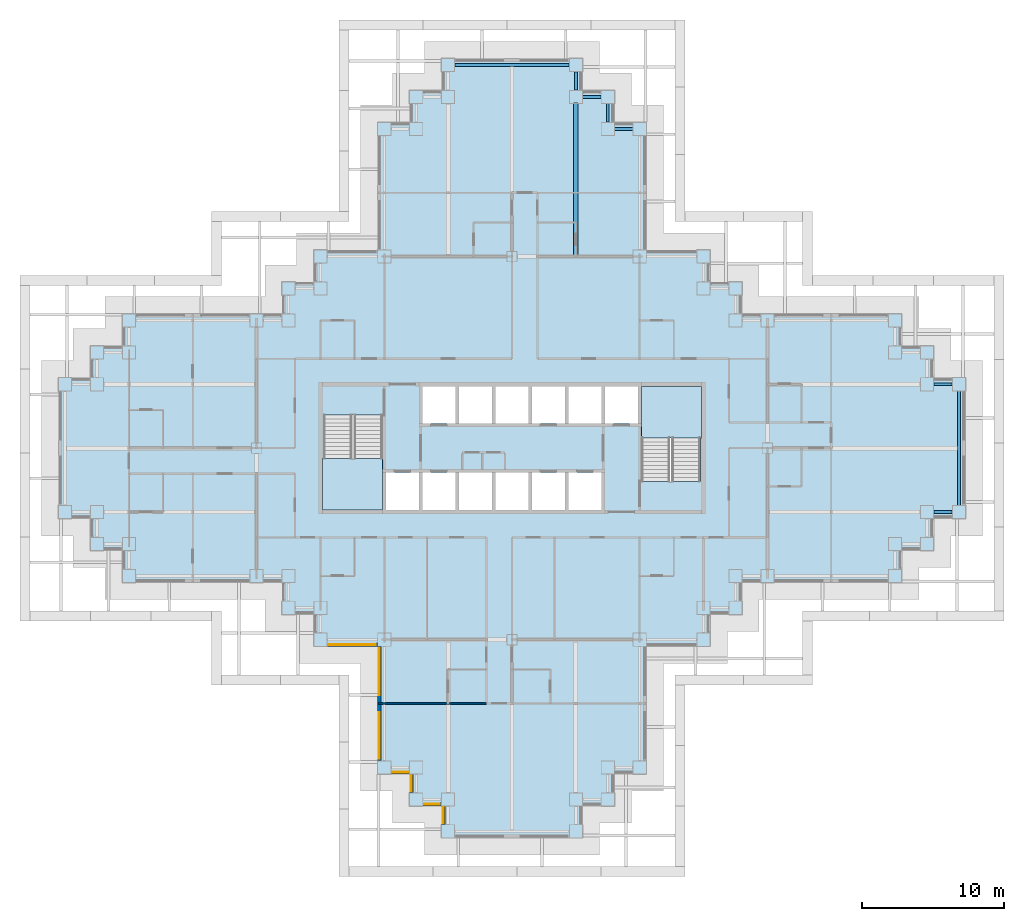
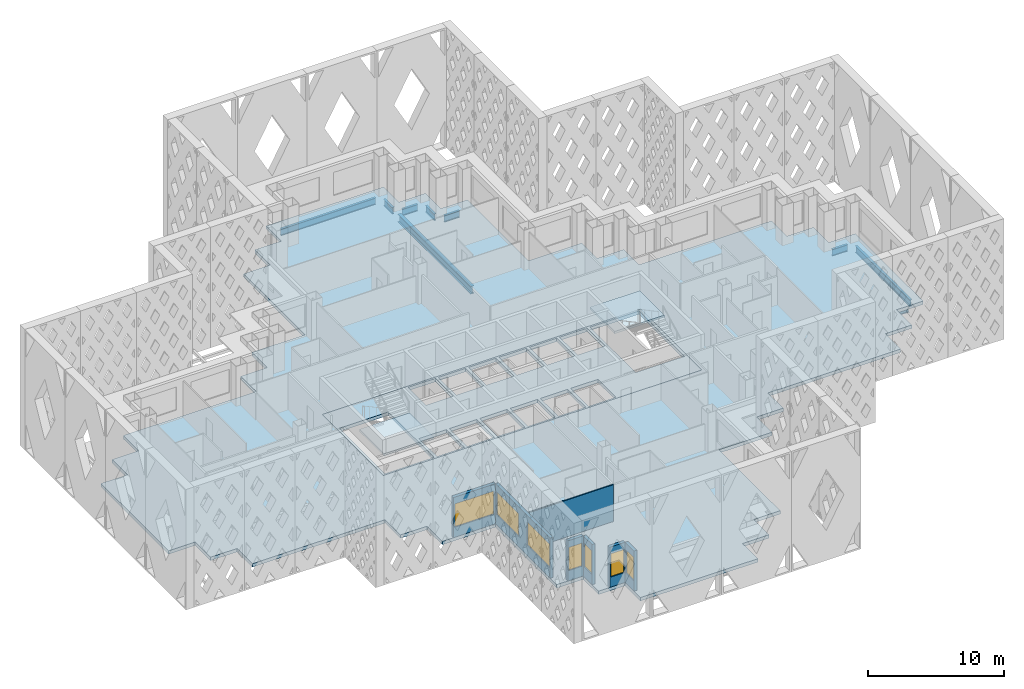
# One storey, part 2 of 19: 9 beams, 7 walls, 7 windows, 4 slabs, 7 openings, 2 elements without a shape of their own.
"""IFC4 building model written with IfcOpenShell, lengths in metres."""

from ifc_helpers import new_model, si_unit, direction, frame, frame_2d, origin, origin_2d, place, context, subcontext, project, spatial, polyline, rectangle, i_section, outline, extrude, material, layer, layer_set, material_profile, profile_set, type_object, element, fill, aggregate, save


model = new_model("IFC4")

# Units and contexts
model_context = context("Model", 3, precision=1e-05, world=origin(), true_north=direction((0.0, 1.0)))
body_context = subcontext(model_context, "Body", "Model", "MODEL_VIEW")
ifc_project = project(units=[si_unit("LENGTHUNIT", "METRE"), si_unit("AREAUNIT", "SQUARE_METRE"), si_unit("VOLUMEUNIT", "CUBIC_METRE"), si_unit("PLANEANGLEUNIT", "RADIAN"), si_unit("MASSUNIT", "GRAM", prefix="KILO")], contexts=[model_context])

# Site, building, storey
site_placement = place(None, origin())
site = spatial("IfcSite", under=ifc_project, at=site_placement, CompositionType="ELEMENT")
building_placement = place(site_placement, origin())
building = spatial("IfcBuilding", under=site, at=building_placement, Name="Caravel Reach Hotel and Residences", CompositionType="ELEMENT")
storey_placement = place(building_placement, frame((0.0, 0.0, 85.199951171875)))
storey = spatial("IfcBuildingStorey", under=building, at=storey_placement, Name="L20", CompositionType="ELEMENT", Elevation=85.199951171875)

# Beams
ifc_material_1 = material(Name="Structural steel Q355B", Category="steel")
ifc_material_profile_1 = material_profile(ifc_material_1, i_section(OverallWidth=0.300048828125, OverallDepth=0.699951171875, WebThickness=0.012939453125, FlangeThickness=0.02392578125, FilletRadius=0.01806640625, at=origin_2d()), Name="HN 700x300x13x24")
ifc_profile_set_1 = profile_set([ifc_material_profile_1], Name="Structural steel Q355B")
beam_type_1 = type_object("IfcBeamType", Name="Beam HN 700x300x13x24", PredefinedType="BEAM", material=ifc_profile_set_1)
beam_1_placement = place(storey_placement, frame((36.0, 40.60009765625, -0.64990234375), z_axis=(0.0, 1.0, 0.0), x_axis=(-1.0, 0.0, 0.0)))
element("IfcBeam", 1, at=beam_1_placement, inside=storey, type_object=beam_type_1, Name="B2 HN 700x300x13x24", PredefinedType="BEAM", context=body_context, shape_type="SweptSolid", body=[
    extrude(i_section(OverallWidth=0.300048828125, OverallDepth=0.699951171875, WebThickness=0.012939453125, FlangeThickness=0.02392578125, FilletRadius=0.01806640625, at=origin_2d()), origin(), (0.0, 0.0, 1.0), 10.724853515625),
])
ifc_material_2 = material(Name="Structural steel Q355B", Category="steel")
ifc_material_profile_2 = material_profile(ifc_material_2, i_section(OverallWidth=0.199951171875, OverallDepth=0.60009765625, WebThickness=0.010986328125, FlangeThickness=0.01708984375, FilletRadius=0.012939453125, at=origin_2d()), Name="HN 600x200x11x17")
ifc_profile_set_2 = profile_set([ifc_material_profile_2], Name="Structural steel Q355B")
beam_type_2 = type_object("IfcBeamType", Name="Spandrel beam HN 600x200x11x17", PredefinedType="SPANDREL", material=ifc_profile_set_2)
beam_2_placement = place(storey_placement, frame((61.22509765625, 22.5, -0.599853515625), z_axis=(1.0, 0.0, 0.0), x_axis=(0.0, 1.0, 0.0)))
element("IfcBeam", 2, at=beam_2_placement, inside=storey, type_object=beam_type_2, Name="SP1 HN 600x200x11x17", PredefinedType="SPANDREL", context=body_context, shape_type="SweptSolid", body=[
    extrude(i_section(OverallWidth=0.199951171875, OverallDepth=0.60009765625, WebThickness=0.010986328125, FlangeThickness=0.01708984375, FilletRadius=0.012939453125, at=origin_2d()), origin(), (0.0, 0.0, 1.0), 1.2998046875),
])
beam_3_placement = place(storey_placement, frame((63.0, 22.97509765625, -0.599853515625), z_axis=(0.0, 1.0, 0.0), x_axis=(-1.0, 0.0, 0.0)))
element("IfcBeam", 3, at=beam_3_placement, inside=storey, type_object=beam_type_2, Name="SP1 HN 600x200x11x17", PredefinedType="SPANDREL", context=body_context, shape_type="SweptSolid", body=[
    extrude(i_section(OverallWidth=0.199951171875, OverallDepth=0.60009765625, WebThickness=0.010986328125, FlangeThickness=0.01708984375, FilletRadius=0.012939453125, at=origin_2d()), origin(), (0.0, 0.0, 1.0), 8.0498046875),
])
for number, where, z_axis, x_axis, name in (
    (4, (62.52490234375, 31.5, -0.599853515625), (-1.0, 0.0, 0.0), (0.0, -1.0, 0.0), "SP1 HN 600x200x11x17"),
    (5, (40.02490234375, 49.5, -0.599853515625), (-1.0, 0.0, 0.0), (0.0, -1.0, 0.0), "SP1 HN 600x200x11x17"),
    (6, (38.25, 49.97509765625, -0.599853515625), (0.0, 1.0, 0.0), (-1.0, 0.0, 0.0), "SP1 HN 600x200x11x17"),
    (7, (37.77490234375, 51.75, -0.599853515625), (-1.0, 0.0, 0.0), (0.0, -1.0, 0.0), "SP1 HN 600x200x11x17"),
    (8, (36.0, 52.22509765625, -0.599853515625), (0.0, 1.0, 0.0), (-1.0, 0.0, 0.0), "SP1 HN 600x200x11x17"),
):
    element("IfcBeam", number, at=place(storey_placement, frame(where, z_axis=z_axis, x_axis=x_axis)), inside=storey, type_object=beam_type_2, Name=name, PredefinedType="SPANDREL", context=body_context, shape_type="SweptSolid", body=[
        extrude(i_section(OverallWidth=0.199951171875, OverallDepth=0.60009765625, WebThickness=0.010986328125, FlangeThickness=0.01708984375, FilletRadius=0.012939453125, at=origin_2d()), origin(), (0.0, 0.0, 1.0), 1.2998046875),
    ])
beam_4_placement = place(storey_placement, frame((35.52490234375, 54.0, -0.599853515625), z_axis=(-1.0, 0.0, 0.0), x_axis=(0.0, -1.0, 0.0)))
element("IfcBeam", 9, at=beam_4_placement, inside=storey, type_object=beam_type_2, Name="SP1 HN 600x200x11x17", PredefinedType="SPANDREL", context=body_context, shape_type="SweptSolid", body=[
    extrude(i_section(OverallWidth=0.199951171875, OverallDepth=0.60009765625, WebThickness=0.010986328125, FlangeThickness=0.01708984375, FilletRadius=0.012939453125, at=origin_2d()), origin(), (0.0, 0.0, 1.0), 8.0498046875),
])

# Slab
ifc_material_3 = material(Name="Concrete C40", Category="concrete")
ifc_layer_1 = layer(ifc_material_3, 0.300048828125)
ifc_layer_set_1 = layer_set([ifc_layer_1], Name="Core floor slab 300 mm")
slab_type_1 = type_object("IfcSlabType", Name="Core floor slab 300 mm", PredefinedType="FLOOR", material=ifc_layer_set_1)
slab_1_placement = place(storey_placement, frame((0.0, 0.0, -0.300048828125)))
element("IfcSlab", 10, at=slab_1_placement, inside=storey, type_object=slab_type_1, Name="L20 core floor", PredefinedType="FLOOR", context=body_context, shape_type="SweptSolid", body=[
    extrude(outline(polyline([(18.0, 31.5), (45.0, 31.5), (45.0, 22.5), (18.0, 22.5), (18.0, 31.5)]), holes=[polyline([(22.625, 25.27490234375), (22.625, 22.64990234375), (24.9462890625, 22.64990234375), (24.9462890625, 25.27490234375), (22.625, 25.27490234375)]), polyline([(27.517822265625, 25.27490234375), (25.1962890625, 25.27490234375), (25.1962890625, 22.64990234375), (27.517822265625, 22.64990234375), (27.517822265625, 25.27490234375)]), polyline([(30.08935546875, 25.27490234375), (27.767822265625, 25.27490234375), (27.767822265625, 22.64990234375), (30.08935546875, 22.64990234375), (30.08935546875, 25.27490234375)]), polyline([(32.66064453125, 25.27490234375), (30.33935546875, 25.27490234375), (30.33935546875, 22.64990234375), (32.66064453125, 22.64990234375), (32.66064453125, 25.27490234375)]), polyline([(18.22509765625, 22.64990234375), (22.375, 22.64990234375), (22.375, 29.35009765625), (18.22509765625, 29.35009765625), (18.22509765625, 22.64990234375)]), polyline([(27.517822265625, 31.35009765625), (25.1962890625, 31.35009765625), (25.1962890625, 28.72509765625), (27.517822265625, 28.72509765625), (27.517822265625, 31.35009765625)]), polyline([(30.08935546875, 31.35009765625), (27.767822265625, 31.35009765625), (27.767822265625, 28.72509765625), (30.08935546875, 28.72509765625), (30.08935546875, 31.35009765625)]), polyline([(32.91064453125, 25.27490234375), (32.91064453125, 22.64990234375), (35.232177734375, 22.64990234375), (35.232177734375, 25.27490234375), (32.91064453125, 25.27490234375)]), polyline([(37.8037109375, 25.27490234375), (35.482177734375, 25.27490234375), (35.482177734375, 22.64990234375), (37.8037109375, 22.64990234375), (37.8037109375, 25.27490234375)]), polyline([(44.77490234375, 31.35009765625), (40.625, 31.35009765625), (40.625, 24.64990234375), (44.77490234375, 24.64990234375), (44.77490234375, 31.35009765625)]), polyline([(32.66064453125, 31.35009765625), (30.33935546875, 31.35009765625), (30.33935546875, 28.72509765625), (32.66064453125, 28.72509765625), (32.66064453125, 31.35009765625)]), polyline([(35.232177734375, 31.35009765625), (32.91064453125, 31.35009765625), (32.91064453125, 28.72509765625), (35.232177734375, 28.72509765625), (35.232177734375, 31.35009765625)]), polyline([(37.8037109375, 31.35009765625), (35.482177734375, 31.35009765625), (35.482177734375, 28.72509765625), (37.8037109375, 28.72509765625), (37.8037109375, 31.35009765625)]), polyline([(40.375, 31.35009765625), (38.0537109375, 31.35009765625), (38.0537109375, 28.72509765625), (40.375, 28.72509765625), (40.375, 31.35009765625)])]), origin(), (0.0, 0.0, 1.0), 0.300048828125),
])

# Stair, slab
ifc_material_4 = material(Name="Concrete C40", Category="concrete")
stair_type = type_object("IfcStairType", Name="Core stair", PredefinedType="HALF_TURN_STAIR", material=ifc_material_4)
stair_1_placement = place(storey_placement, origin())
stair_1 = element("IfcStair", 11, at=stair_1_placement, inside=storey, type_object=stair_type, Name="L20 Exit stair A", PredefinedType="HALF_TURN_STAIR")
ifc_material_5 = material(Name="Concrete C40", Category="concrete")
ifc_layer_2 = layer(ifc_material_5, 0.199951171875)
ifc_layer_set_2 = layer_set([ifc_layer_2], Name="Core stair landing")
slab_type_2 = type_object("IfcSlabType", Name="Core stair landing", PredefinedType="LANDING", material=ifc_layer_set_2)
slab_2_placement = place(storey_placement, frame((0.0, 0.0, 1.60009765625)))
slab_2 = element("IfcSlab", 12, at=slab_2_placement, type_object=slab_type_2, Name="ST-A landing 1", PredefinedType="LANDING", context=body_context, shape_type="SweptSolid", body=[
    extrude(outline(polyline([(18.14990234375, 26.27001953125), (18.14990234375, 22.64990234375), (22.375, 22.64990234375), (22.375, 26.27001953125), (18.14990234375, 26.27001953125)])), origin(), (0.0, 0.0, 1.0), 0.199951171875),
])
aggregate(stair_1, [slab_2])

stair_2_placement = place(storey_placement, origin())
stair_2 = element("IfcStair", 13, at=stair_2_placement, inside=storey, type_object=stair_type, Name="L20 Exit stair B", PredefinedType="HALF_TURN_STAIR")
slab_3_placement = place(storey_placement, frame((0.0, 0.0, 1.60009765625)))
slab_3 = element("IfcSlab", 14, at=slab_3_placement, type_object=slab_type_2, Name="ST-B landing 1", PredefinedType="LANDING", context=body_context, shape_type="SweptSolid", body=[
    extrude(outline(polyline([(44.85009765625, 27.72998046875), (44.85009765625, 31.35009765625), (40.625, 31.35009765625), (40.625, 27.72998046875), (44.85009765625, 27.72998046875)])), origin(), (0.0, 0.0, 1.0), 0.199951171875),
])
aggregate(stair_2, [slab_3])

# Slab
ifc_material_6 = material(Name="Concrete C40 post-tensioned", Category="concrete")
ifc_layer_3 = layer(ifc_material_6, 0.300048828125)
ifc_layer_set_3 = layer_set([ifc_layer_3], Name="Floor slab 300")
slab_type_3 = type_object("IfcSlabType", Name="Floor slab 300", PredefinedType="FLOOR", material=ifc_layer_set_3)
slab_4_placement = place(storey_placement, frame((0.0, 0.0, -0.300048828125)))
element("IfcSlab", 15, at=slab_4_placement, inside=storey, type_object=slab_type_3, Name="S2 slab L20", PredefinedType="FLOOR", context=body_context, shape_type="SweptSolid", body=[
    extrude(outline(polyline([(17.52490234375, 13.02490234375), (17.52490234375, 15.27490234375), (15.27490234375, 15.27490234375), (15.27490234375, 17.52490234375), (4.02490234375, 17.52490234375), (4.02490234375, 19.77490234375), (1.77490234375, 19.77490234375), (1.77490234375, 22.02490234375), (-0.47509765625, 22.02490234375), (-0.47509765625, 31.97509765625), (1.77490234375, 31.97509765625), (1.77490234375, 34.22509765625), (4.02490234375, 34.22509765625), (4.02490234375, 36.47509765625), (15.27490234375, 36.47509765625), (15.27490234375, 38.72509765625), (17.52490234375, 38.72509765625), (17.52490234375, 40.97509765625), (22.02490234375, 40.97509765625), (22.02490234375, 49.97509765625), (24.27490234375, 49.97509765625), (24.27490234375, 52.22509765625), (26.52490234375, 52.22509765625), (26.52490234375, 54.47509765625), (36.47509765625, 54.47509765625), (36.47509765625, 52.22509765625), (38.72509765625, 52.22509765625), (38.72509765625, 49.97509765625), (40.97509765625, 49.97509765625), (40.97509765625, 40.97509765625), (45.47509765625, 40.97509765625), (45.47509765625, 38.72509765625), (47.72509765625, 38.72509765625), (47.72509765625, 36.47509765625), (58.97509765625, 36.47509765625), (58.97509765625, 34.22509765625), (61.22509765625, 34.22509765625), (61.22509765625, 31.97509765625), (63.47509765625, 31.97509765625), (63.47509765625, 22.02490234375), (61.22509765625, 22.02490234375), (61.22509765625, 19.77490234375), (58.97509765625, 19.77490234375), (58.97509765625, 17.52490234375), (47.72509765625, 17.52490234375), (47.72509765625, 15.27490234375), (45.47509765625, 15.27490234375), (45.47509765625, 13.02490234375), (40.97509765625, 13.02490234375), (40.97509765625, 4.02490234375), (38.72509765625, 4.02490234375), (38.72509765625, 1.77490234375), (36.47509765625, 1.77490234375), (36.47509765625, -0.47509765625), (26.52490234375, -0.47509765625), (26.52490234375, 1.77490234375), (24.27490234375, 1.77490234375), (24.27490234375, 4.02490234375), (22.02490234375, 4.02490234375), (22.02490234375, 13.02490234375), (17.52490234375, 13.02490234375)]), holes=[polyline([(45.0, 31.5), (18.0, 31.5), (18.0, 22.5), (45.0, 22.5), (45.0, 31.5)])]), origin(), (0.0, 0.0, 1.0), 0.300048828125),
])

# Wall, opening, window
ifc_material_7 = material(Name="Insulated rainscreen wall, aluminium cladding", Category="aluminium")
ifc_layer_4 = layer(ifc_material_7, 0.25)
ifc_layer_set_4 = layer_set([ifc_layer_4], Name="EW1 Tower rainscreen wall")
wall_type_1 = type_object("IfcWallType", Name="EW1 Tower rainscreen wall", PredefinedType="SOLIDWALL", material=ifc_layer_set_4)
wall_1_placement = place(storey_placement, frame((22.97509765625, 4.14990234375, 0.0), z_axis=(0.0, 0.0, 1.0), x_axis=(1.0, 0.0, 0.0)))
wall_1 = element("IfcWall", 16, at=wall_1_placement, inside=storey, type_object=wall_type_1, Name="External wall L20 S1.1", PredefinedType="SOLIDWALL", context=body_context, shape_type="SweptSolid", body=[
    extrude(rectangle(XDim=1.2998046875, YDim=0.25, at=frame_2d((0.64990234375, 0.0))), origin(), (0.0, 0.0, 1.0), 3.60009765625),
])
opening_1_placement = place(wall_1_placement, frame((0.10009765625, 0.0, 0.89990234375)))
opening_1 = element("IfcOpeningElement", 17, at=opening_1_placement, cuts=wall_1, Name="Opening WN5", PredefinedType="OPENING", context=body_context, shape_type="SweptSolid", body=[
    extrude(rectangle(XDim=1.10009765625, YDim=2.080078125, at=frame_2d((0.550048828125, 1.0400390625))), frame((0.0, 0.135009765625, 0.0), z_axis=(0.0, -1.0, 0.0), x_axis=(1.0, 0.0, 0.0)), (0.0, 0.0, 1.0), 0.27001953125),
])
ifc_material_8 = material(Name="Dark low-e glazing in black aluminium frame", Category="aluminium")
window_type_1 = type_object("IfcWindowType", Name="Hotel suite corner window 1100 x 2080", PartitioningType="SINGLE_PANEL", PredefinedType="WINDOW", material=ifc_material_8)
window_1_placement = place(opening_1_placement, origin())
window_1 = element("IfcWindow", 18, at=window_1_placement, inside=storey, type_object=window_type_1, Name="Window L20 S1.1.1", OverallHeight=2.080078125, OverallWidth=1.10009765625, PartitioningType="SINGLE_PANEL", PredefinedType="WINDOW", context=body_context, shape_type="SweptSolid", body=[
    extrude(rectangle(XDim=1.10009765625, YDim=2.080078125, at=frame_2d((0.550048828125, 1.0400390625))), frame((0.0, 0.030029296875, 0.0), z_axis=(0.0, -1.0, 0.0), x_axis=(1.0, 0.0, 0.0)), (0.0, 0.0, 1.0), 0.06005859375),
])
fill(opening_1, window_1)

wall_2_placement = place(storey_placement, frame((24.39990234375, 4.02490234375, 0.0), z_axis=(0.0, 0.0, 1.0), x_axis=(0.0, -1.0, 0.0)))
wall_2 = element("IfcWall", 19, at=wall_2_placement, inside=storey, type_object=wall_type_1, Name="External wall L20 W2.1", PredefinedType="SOLIDWALL", context=body_context, shape_type="SweptSolid", body=[
    extrude(rectangle(XDim=1.2998046875, YDim=0.25, at=frame_2d((0.64990234375, 0.0))), origin(), (0.0, 0.0, 1.0), 3.60009765625),
])
opening_2_placement = place(wall_2_placement, frame((0.10009765625, 0.0, 0.89990234375)))
opening_2 = element("IfcOpeningElement", 20, at=opening_2_placement, cuts=wall_2, Name="Opening WN5", PredefinedType="OPENING", context=body_context, shape_type="SweptSolid", body=[
    extrude(rectangle(XDim=1.10009765625, YDim=2.080078125, at=frame_2d((0.550048828125, 1.0400390625))), frame((0.0, 0.135009765625, 0.0), z_axis=(0.0, -1.0, 0.0), x_axis=(1.0, 0.0, 0.0)), (0.0, 0.0, 1.0), 0.27001953125),
])
window_2_placement = place(opening_2_placement, origin())
window_2 = element("IfcWindow", 21, at=window_2_placement, inside=storey, type_object=window_type_1, Name="Window L20 W2.1.1", OverallHeight=2.080078125, OverallWidth=1.10009765625, PartitioningType="SINGLE_PANEL", PredefinedType="WINDOW", context=body_context, shape_type="SweptSolid", body=[
    extrude(rectangle(XDim=1.10009765625, YDim=2.080078125, at=frame_2d((0.550048828125, 1.0400390625))), frame((0.0, 0.030029296875, 0.0), z_axis=(0.0, -1.0, 0.0), x_axis=(1.0, 0.0, 0.0)), (0.0, 0.0, 1.0), 0.06005859375),
])
fill(opening_2, window_2)

wall_3_placement = place(storey_placement, frame((25.22509765625, 1.89990234375, 0.0), z_axis=(0.0, 0.0, 1.0), x_axis=(1.0, 0.0, 0.0)))
wall_3 = element("IfcWall", 22, at=wall_3_placement, inside=storey, type_object=wall_type_1, Name="External wall L20 S3.1", PredefinedType="SOLIDWALL", context=body_context, shape_type="SweptSolid", body=[
    extrude(rectangle(XDim=1.2998046875, YDim=0.25, at=frame_2d((0.64990234375, 0.0))), origin(), (0.0, 0.0, 1.0), 3.60009765625),
])
opening_3_placement = place(wall_3_placement, frame((0.10009765625, 0.0, 0.89990234375)))
opening_3 = element("IfcOpeningElement", 23, at=opening_3_placement, cuts=wall_3, Name="Opening WN5", PredefinedType="OPENING", context=body_context, shape_type="SweptSolid", body=[
    extrude(rectangle(XDim=1.10009765625, YDim=2.080078125, at=frame_2d((0.550048828125, 1.0400390625))), frame((0.0, 0.135009765625, 0.0), z_axis=(0.0, -1.0, 0.0), x_axis=(1.0, 0.0, 0.0)), (0.0, 0.0, 1.0), 0.27001953125),
])
window_3_placement = place(opening_3_placement, origin())
window_3 = element("IfcWindow", 24, at=window_3_placement, inside=storey, type_object=window_type_1, Name="Window L20 S3.1.1", OverallHeight=2.080078125, OverallWidth=1.10009765625, PartitioningType="SINGLE_PANEL", PredefinedType="WINDOW", context=body_context, shape_type="SweptSolid", body=[
    extrude(rectangle(XDim=1.10009765625, YDim=2.080078125, at=frame_2d((0.550048828125, 1.0400390625))), frame((0.0, 0.030029296875, 0.0), z_axis=(0.0, -1.0, 0.0), x_axis=(1.0, 0.0, 0.0)), (0.0, 0.0, 1.0), 0.06005859375),
])
fill(opening_3, window_3)

wall_4_placement = place(storey_placement, frame((26.64990234375, 1.77490234375, 0.0), z_axis=(0.0, 0.0, 1.0), x_axis=(0.0, -1.0, 0.0)))
wall_4 = element("IfcWall", 25, at=wall_4_placement, inside=storey, type_object=wall_type_1, Name="External wall L20 W4.1", PredefinedType="SOLIDWALL", context=body_context, shape_type="SweptSolid", body=[
    extrude(rectangle(XDim=1.2998046875, YDim=0.25, at=frame_2d((0.64990234375, 0.0))), origin(), (0.0, 0.0, 1.0), 3.60009765625),
])
opening_4_placement = place(wall_4_placement, frame((0.10009765625, 0.0, 0.89990234375)))
opening_4 = element("IfcOpeningElement", 26, at=opening_4_placement, cuts=wall_4, Name="Opening WN5", PredefinedType="OPENING", context=body_context, shape_type="SweptSolid", body=[
    extrude(rectangle(XDim=1.10009765625, YDim=2.080078125, at=frame_2d((0.550048828125, 1.0400390625))), frame((0.0, 0.135009765625, 0.0), z_axis=(0.0, -1.0, 0.0), x_axis=(1.0, 0.0, 0.0)), (0.0, 0.0, 1.0), 0.27001953125),
])
window_4_placement = place(opening_4_placement, origin())
window_4 = element("IfcWindow", 27, at=window_4_placement, inside=storey, type_object=window_type_1, Name="Window L20 W4.1.1", OverallHeight=2.080078125, OverallWidth=1.10009765625, PartitioningType="SINGLE_PANEL", PredefinedType="WINDOW", context=body_context, shape_type="SweptSolid", body=[
    extrude(rectangle(XDim=1.10009765625, YDim=2.080078125, at=frame_2d((0.550048828125, 1.0400390625))), frame((0.0, 0.030029296875, 0.0), z_axis=(0.0, -1.0, 0.0), x_axis=(1.0, 0.0, 0.0)), (0.0, 0.0, 1.0), 0.06005859375),
])
fill(opening_4, window_4)

wall_5_placement = place(storey_placement, frame((18.47509765625, 13.14990234375, 0.0), z_axis=(0.0, 0.0, 1.0), x_axis=(1.0, 0.0, 0.0)))
wall_5 = element("IfcWall", 28, at=wall_5_placement, inside=storey, type_object=wall_type_1, Name="External wall L20 S59.1", PredefinedType="SOLIDWALL", context=body_context, shape_type="SweptSolid", body=[
    extrude(rectangle(XDim=3.5498046875, YDim=0.25, at=frame_2d((1.77490234375, 0.0))), origin(), (0.0, 0.0, 1.0), 3.60009765625),
])
opening_5_placement = place(wall_5_placement, frame((0.125, 0.0, 0.89990234375)))
opening_5 = element("IfcOpeningElement", 29, at=opening_5_placement, cuts=wall_5, Name="Opening WN4", PredefinedType="OPENING", context=body_context, shape_type="SweptSolid", body=[
    extrude(rectangle(XDim=3.300048828125, YDim=2.080078125, at=frame_2d((1.64990234375, 1.0400390625))), frame((0.0, 0.135009765625, 0.0), z_axis=(0.0, -1.0, 0.0), x_axis=(1.0, 0.0, 0.0)), (0.0, 0.0, 1.0), 0.27001953125),
])
ifc_material_9 = material(Name="Dark low-e glazing in black aluminium frame", Category="aluminium")
window_type_2 = type_object("IfcWindowType", Name="Hotel guest room window 3300 x 2080", PartitioningType="SINGLE_PANEL", PredefinedType="WINDOW", material=ifc_material_9)
window_5_placement = place(opening_5_placement, origin())
window_5 = element("IfcWindow", 30, at=window_5_placement, inside=storey, type_object=window_type_2, Name="Window L20 S59.1.1", OverallHeight=2.080078125, OverallWidth=3.300048828125, PartitioningType="SINGLE_PANEL", PredefinedType="WINDOW", context=body_context, shape_type="SweptSolid", body=[
    extrude(rectangle(XDim=3.300048828125, YDim=2.080078125, at=frame_2d((1.64990234375, 1.0400390625))), frame((0.0, 0.030029296875, 0.0), z_axis=(0.0, -1.0, 0.0), x_axis=(1.0, 0.0, 0.0)), (0.0, 0.0, 1.0), 0.06005859375),
])
fill(opening_5, window_5)

# Wall, openings, windows
wall_6_placement = place(storey_placement, frame((22.14990234375, 13.02490234375, 0.0), z_axis=(0.0, 0.0, 1.0), x_axis=(0.0, -1.0, 0.0)))
wall_6 = element("IfcWall", 31, at=wall_6_placement, inside=storey, type_object=wall_type_1, Name="External wall L20 W60.1", PredefinedType="SOLIDWALL", context=body_context, shape_type="SweptSolid", body=[
    extrude(rectangle(XDim=8.0498046875, YDim=0.25, at=frame_2d((4.02490234375, 0.0))), origin(), (0.0, 0.0, 1.0), 3.60009765625),
])
opening_6_placement = place(wall_6_placement, frame((0.125, 0.0, 0.89990234375)))
opening_6 = element("IfcOpeningElement", 32, at=opening_6_placement, cuts=wall_6, Name="Opening WN4", PredefinedType="OPENING", context=body_context, shape_type="SweptSolid", body=[
    extrude(rectangle(XDim=3.300048828125, YDim=2.080078125, at=frame_2d((1.64990234375, 1.0400390625))), frame((0.0, 0.135009765625, 0.0), z_axis=(0.0, -1.0, 0.0), x_axis=(1.0, 0.0, 0.0)), (0.0, 0.0, 1.0), 0.27001953125),
])
opening_7_placement = place(wall_6_placement, frame((4.625, 0.0, 0.89990234375)))
opening_7 = element("IfcOpeningElement", 33, at=opening_7_placement, cuts=wall_6, Name="Opening WN4", PredefinedType="OPENING", context=body_context, shape_type="SweptSolid", body=[
    extrude(rectangle(XDim=3.300048828125, YDim=2.080078125, at=frame_2d((1.64990234375, 1.0400390625))), frame((0.0, 0.135009765625, 0.0), z_axis=(0.0, -1.0, 0.0), x_axis=(1.0, 0.0, 0.0)), (0.0, 0.0, 1.0), 0.27001953125),
])
window_6_placement = place(opening_6_placement, origin())
window_6 = element("IfcWindow", 34, at=window_6_placement, inside=storey, type_object=window_type_2, Name="Window L20 W60.1.1", OverallHeight=2.080078125, OverallWidth=3.300048828125, PartitioningType="SINGLE_PANEL", PredefinedType="WINDOW", context=body_context, shape_type="SweptSolid", body=[
    extrude(rectangle(XDim=3.300048828125, YDim=2.080078125, at=frame_2d((1.64990234375, 1.0400390625))), frame((0.0, 0.030029296875, 0.0), z_axis=(0.0, -1.0, 0.0), x_axis=(1.0, 0.0, 0.0)), (0.0, 0.0, 1.0), 0.06005859375),
])
fill(opening_6, window_6)
window_7_placement = place(opening_7_placement, origin())
window_7 = element("IfcWindow", 35, at=window_7_placement, inside=storey, type_object=window_type_2, Name="Window L20 W60.1.2", OverallHeight=2.080078125, OverallWidth=3.300048828125, PartitioningType="SINGLE_PANEL", PredefinedType="WINDOW", context=body_context, shape_type="SweptSolid", body=[
    extrude(rectangle(XDim=3.300048828125, YDim=2.080078125, at=frame_2d((1.64990234375, 1.0400390625))), frame((0.0, 0.030029296875, 0.0), z_axis=(0.0, -1.0, 0.0), x_axis=(1.0, 0.0, 0.0)), (0.0, 0.0, 1.0), 0.06005859375),
])
fill(opening_7, window_7)

# Wall
ifc_material_10 = material(Name="Gypsum board on steel stud", Category="steel")
ifc_layer_5 = layer(ifc_material_10, 0.10009765625)
ifc_layer_set_5 = layer_set([ifc_layer_5], Name="Partition 100 mm")
wall_type_2 = type_object("IfcWallType", Name="Partition 100 mm", PredefinedType="PARTITIONING", material=ifc_layer_set_5)
wall_7_placement = place(storey_placement, frame((22.0849609375, 9.0, 0.0), z_axis=(0.0, 0.0, 1.0), x_axis=(1.0, 0.0, 0.0)))
element("IfcWall", 36, at=wall_7_placement, inside=storey, type_object=wall_type_2, Name="L20 wall w050", PredefinedType="PARTITIONING", context=body_context, shape_type="SweptSolid", body=[
    extrude(rectangle(XDim=7.614990234375, YDim=0.10009765625, at=frame_2d((3.8076171875, 0.0))), origin(), (0.0, 0.0, 1.0), 3.300048828125),
])

save(model, "model.ifc")
